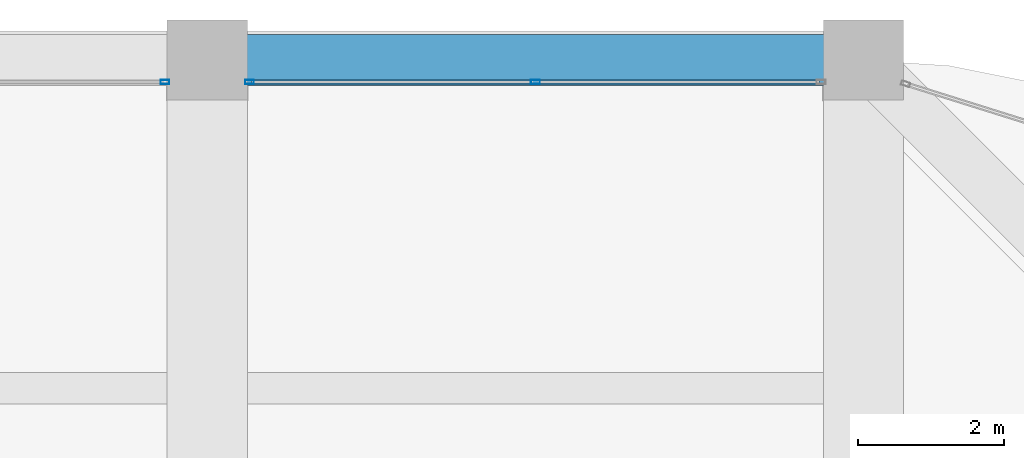
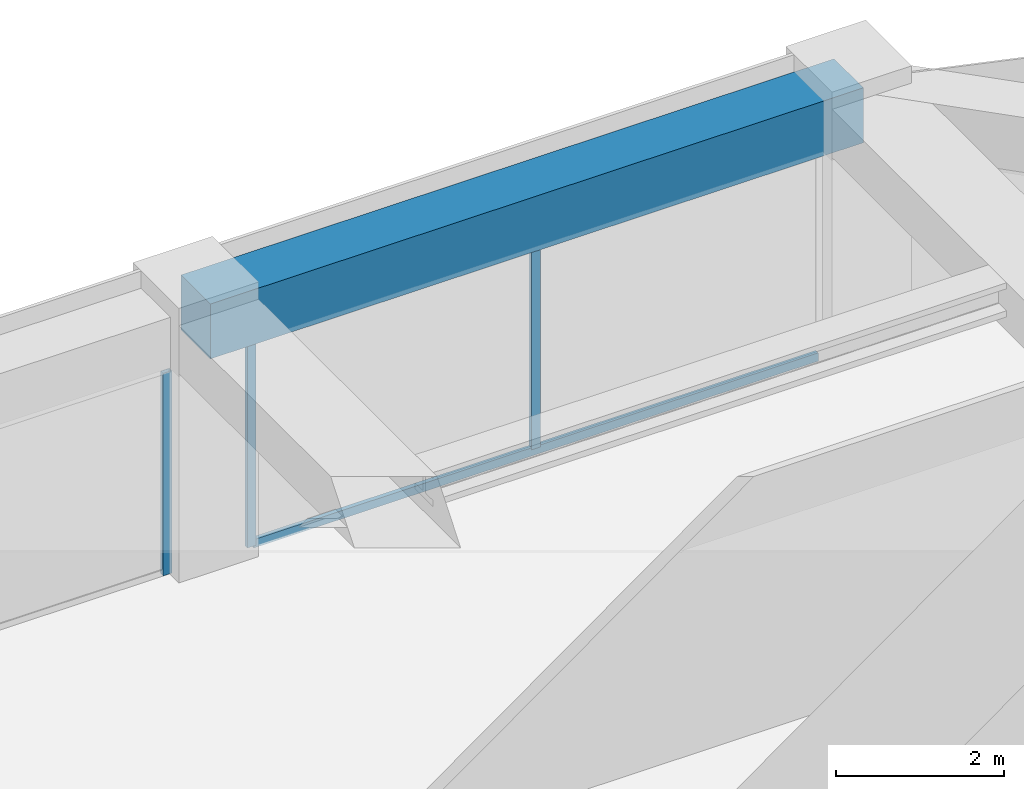
# One storey, part 35 of 44: 4 members, 1 beam, 2 elements without a shape of their own.
"""IFC4 building model written with IfcOpenShell, lengths in metres."""

from ifc_helpers import new_model, si_unit, direction, frame, origin, origin_2d, place, context, subcontext, project, spatial, rectangle, hollow_rectangle, extrude, material, material_profile, profile_set, type_object, element, aggregate, save


model = new_model("IFC4")

# Units and contexts
model_context = context("Model", 3, precision=1e-05, world=origin(), true_north=direction((0.0, 1.0)))
body_context = subcontext(model_context, "Body", "Model", "MODEL_VIEW")
ifc_project = project(units=[si_unit("LENGTHUNIT", "METRE"), si_unit("AREAUNIT", "SQUARE_METRE"), si_unit("VOLUMEUNIT", "CUBIC_METRE"), si_unit("PLANEANGLEUNIT", "RADIAN"), si_unit("MASSUNIT", "GRAM", prefix="KILO")], contexts=[model_context])

# Site, building, storey
site_placement = place(None, origin())
site = spatial("IfcSite", under=ifc_project, at=site_placement, CompositionType="ELEMENT")
building_placement = place(site_placement, origin())
building = spatial("IfcBuilding", under=site, at=building_placement, Name="Zorevar Civic Tower", CompositionType="ELEMENT")
storey_placement = place(building_placement, frame((0.0, 0.0, 275.39990234375)))
storey = spatial("IfcBuildingStorey", under=building, at=storey_placement, Name="L67", CompositionType="ELEMENT", Elevation=275.39990234375)

# Curtain wall, member
ifc_material_1 = material(Name="Dark grey solar-control glass in black aluminium frame", Category="aluminium")
curtain_wall_type = type_object("IfcCurtainWallType", Name="Curtain wall CW5 top zone", PredefinedType="NOTDEFINED", material=ifc_material_1)
curtain_wall_1_placement = place(storey_placement, origin())
curtain_wall_1 = element("IfcCurtainWall", 1, at=curtain_wall_1_placement, inside=storey, type_object=curtain_wall_type, Name="CW5 L67", PredefinedType="NOTDEFINED")
ifc_material_2 = material(Name="Aluminium, black anodised", Category="aluminium")
ifc_material_profile_1 = material_profile(ifc_material_2, hollow_rectangle(XDim=0.06005859375, YDim=0.1201171875, WallThickness=0.0029296875, at=origin_2d()), Name="AL 120x60x3")
ifc_profile_set_1 = profile_set([ifc_material_profile_1], Name="Aluminium, black anodised")
member_type_1 = type_object("IfcMemberType", Name="CW5 mullion AL 120x60x3", PredefinedType="MULLION", material=ifc_profile_set_1)
member_1_placement = place(storey_placement, frame((35.419921875, 44.699951171875, 0.0), z_axis=(0.0, 0.0, 1.0), x_axis=(0.0, 1.0, 0.0)))
member_1 = element("IfcMember", 2, at=member_1_placement, type_object=member_type_1, Name="CW5 mullion 3", PredefinedType="MULLION", context=body_context, shape_type="SweptSolid", body=[
    extrude(hollow_rectangle(XDim=0.06005859375, YDim=0.1201171875, WallThickness=0.0029296875, at=origin_2d()), origin(), (0.0, 0.0, 1.0), 2.9501953125),
])
aggregate(curtain_wall_1, [member_1])

# Curtain wall, members
curtain_wall_2_placement = place(storey_placement, origin())
curtain_wall_2 = element("IfcCurtainWall", 3, at=curtain_wall_2_placement, inside=storey, type_object=curtain_wall_type, Name="CW5 L67", PredefinedType="NOTDEFINED")
member_2_placement = place(storey_placement, frame((36.580078125, 44.699951171875, 0.0), z_axis=(0.0, 0.0, 1.0), x_axis=(0.0, 1.0, 0.0)))
member_2 = element("IfcMember", 4, at=member_2_placement, type_object=member_type_1, Name="CW5 mullion 1", PredefinedType="MULLION", context=body_context, shape_type="SweptSolid", body=[
    extrude(hollow_rectangle(XDim=0.06005859375, YDim=0.1201171875, WallThickness=0.0029296875, at=origin_2d()), origin(), (0.0, 0.0, 1.0), 2.9501953125),
])
member_3_placement = place(storey_placement, frame((40.5, 44.699951171875, 0.06005859375), z_axis=(0.0, 0.0, 1.0), x_axis=(0.0, 1.0, 0.0)))
member_3 = element("IfcMember", 5, at=member_3_placement, type_object=member_type_1, Name="CW5 mullion 2", PredefinedType="MULLION", context=body_context, shape_type="SweptSolid", body=[
    extrude(hollow_rectangle(XDim=0.06005859375, YDim=0.1201171875, WallThickness=0.0029296875, at=origin_2d()), origin(), (0.0, 0.0, 1.0), 2.89013671875),
])
ifc_material_3 = material(Name="Aluminium, black anodised", Category="aluminium")
ifc_material_profile_2 = material_profile(ifc_material_3, hollow_rectangle(XDim=0.06005859375, YDim=0.1201171875, WallThickness=0.0029296875, at=origin_2d()), Name="AL 120x60x3")
ifc_profile_set_2 = profile_set([ifc_material_profile_2], Name="Aluminium, black anodised")
member_type_2 = type_object("IfcMemberType", Name="CW5 transom AL 120x60x3", PredefinedType="USERDEFINED", material=ifc_profile_set_2)
member_4_placement = place(storey_placement, frame((36.610107421875, 44.699951171875, 0.030029296875), z_axis=(1.0, 0.0, 0.0), x_axis=(0.0, 1.0, 0.0)))
member_4 = element("IfcMember", 6, at=member_4_placement, type_object=member_type_2, Name="CW5 sill transom", ObjectType="TRANSOM", PredefinedType="USERDEFINED", context=body_context, shape_type="SweptSolid", body=[
    extrude(hollow_rectangle(XDim=0.06005859375, YDim=0.1201171875, WallThickness=0.0029296875, at=origin_2d()), origin(), (0.0, 0.0, 1.0), 7.77978515625),
])
aggregate(curtain_wall_2, [member_2, member_3, member_4])

# Beam
ifc_material_4 = material(Name="Concrete C50/60", Category="concrete")
ifc_material_profile_3 = material_profile(ifc_material_4, rectangle(XDim=0.699951171875, YDim=0.800048828125, at=origin_2d()), Name="RC 700x800")
ifc_profile_set_3 = profile_set([ifc_material_profile_3], Name="Concrete C50/60")
beam_type = type_object("IfcBeamType", Name="Edge beam RC 700x800", PredefinedType="SPANDREL", material=ifc_profile_set_3)
beam_placement = place(storey_placement, frame((36.0, 45.0, 3.35009765625), z_axis=(1.0, 0.0, 0.0), x_axis=(0.0, 1.0, 0.0)))
element("IfcBeam", 7, at=beam_placement, inside=storey, type_object=beam_type, Name="Edge beam L68", PredefinedType="SPANDREL", context=body_context, shape_type="SweptSolid", body=[
    extrude(rectangle(XDim=0.699951171875, YDim=0.800048828125, at=origin_2d()), origin(), (0.0, 0.0, 1.0), 9.0),
])

save(model, "model.ifc")
